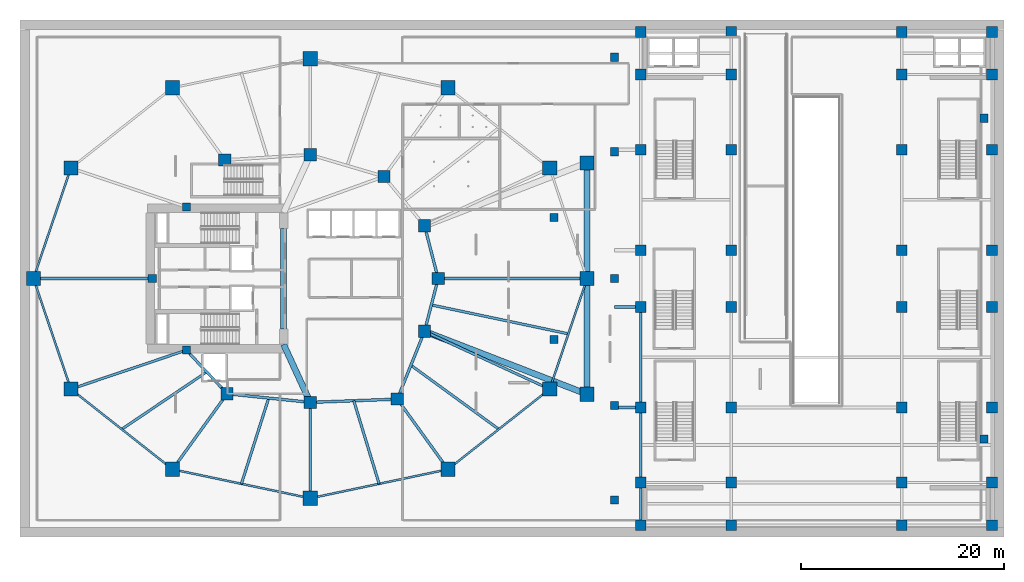
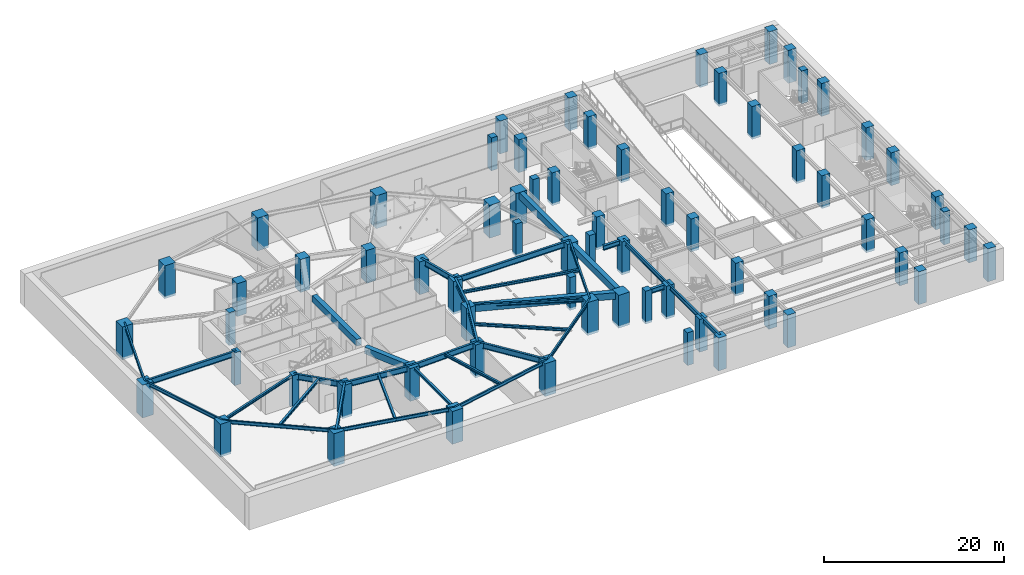
# One storey, part 1 of 16: 67 columns, 34 beams.
"""IFC4 building model written with IfcOpenShell, lengths in metres."""

from ifc_helpers import new_model, si_unit, direction, frame, origin, origin_2d, place, context, subcontext, project, spatial, rectangle, i_section, extrude, material, material_profile, profile_set, type_object, element, save


model = new_model("IFC4")

# Units and contexts
model_context = context("Model", 3, precision=1e-05, world=origin(), true_north=direction((0.0, 1.0)))
body_context = subcontext(model_context, "Body", "Model", "MODEL_VIEW")
ifc_project = project(units=[si_unit("LENGTHUNIT", "METRE"), si_unit("AREAUNIT", "SQUARE_METRE"), si_unit("VOLUMEUNIT", "CUBIC_METRE"), si_unit("PLANEANGLEUNIT", "RADIAN"), si_unit("MASSUNIT", "GRAM", prefix="KILO")], contexts=[model_context])

# Site, building, storey
site_placement = place(None, origin())
site = spatial("IfcSite", under=ifc_project, at=site_placement, CompositionType="ELEMENT")
building_placement = place(site_placement, origin())
building = spatial("IfcBuilding", under=site, at=building_placement, Name="Kolvaren Gate Tower and Convention Centre", CompositionType="ELEMENT")
storey_placement = place(building_placement, frame((0.0, 0.0, -4.5)))
storey = spatial("IfcBuildingStorey", under=building, at=storey_placement, Name="B1", CompositionType="ELEMENT", Elevation=-4.5)

# Columns
ifc_material_1 = material(Name="Concrete C60/75", Category="concrete")
ifc_material_profile_1 = material_profile(ifc_material_1, rectangle(XDim=1.050048828125, YDim=1.050048828125, at=origin_2d()), Name="RC-COL-1050X1050")
ifc_profile_set_1 = profile_set([ifc_material_profile_1], Name="Concrete C60/75")
column_type_1 = type_object("IfcColumnType", Name="STR-COL-RC1050", PredefinedType="COLUMN", material=ifc_profile_set_1)
for number, where, z_axis, x_axis, name in (
    (1, (62.699951171875, 2.699951171875, -0.320068359375), (0.0, 0.0, 1.0), (1.0, 0.0, 0.0), "Convention B1 Column CC-11"),
    (2, (62.699951171875, 6.89990234375, -0.320068359375), (0.0, 0.0, 1.0), (1.0, 0.0, 0.0), "Convention B1 Column CC-12"),
    (3, (62.699951171875, 14.300048828125, -0.320068359375), (0.0, 0.0, 1.0), (1.0, 0.0, 0.0), "Convention B1 Column CC-13"),
    (4, (62.699951171875, 24.199951171875, -0.320068359375), (0.0, 0.0, 1.0), (1.0, 0.0, 0.0), "Convention B1 Column CC-14"),
    (5, (62.699951171875, 29.800048828125, -0.320068359375), (0.0, 0.0, 1.0), (1.0, 0.0, 0.0), "Convention B1 Column CC-15"),
    (6, (62.699951171875, 39.699951171875, -0.320068359375), (0.0, 0.0, 1.0), (1.0, 0.0, 0.0), "Convention B1 Column CC-16"),
    (7, (62.699951171875, 47.10009765625, -0.320068359375), (0.0, 0.0, 1.0), (1.0, 0.0, 0.0), "Convention B1 Column CC-17"),
    (8, (62.699951171875, 51.300048828125, -0.320068359375), (0.0, 0.0, 1.0), (1.0, 0.0, 0.0), "Convention B1 Column CC-18"),
    (9, (71.60009765625, 2.699951171875, -0.320068359375), (0.0, 0.0, 1.0), (1.0, 0.0, 0.0), "Convention B1 Column CC-21"),
    (10, (71.60009765625, 6.89990234375, -0.320068359375), (0.0, 0.0, 1.0), (1.0, 0.0, 0.0), "Convention B1 Column CC-22"),
    (11, (71.60009765625, 14.300048828125, -0.320068359375), (0.0, 0.0, 1.0), (1.0, 0.0, 0.0), "Convention B1 Column CC-23"),
    (12, (71.60009765625, 24.199951171875, -0.320068359375), (0.0, 0.0, 1.0), (1.0, 0.0, 0.0), "Convention B1 Column CC-24"),
    (13, (71.60009765625, 29.800048828125, -0.320068359375), (0.0, 0.0, 1.0), (1.0, 0.0, 0.0), "Convention B1 Column CC-25"),
    (14, (71.60009765625, 39.699951171875, -0.320068359375), (0.0, 0.0, 1.0), (1.0, 0.0, 0.0), "Convention B1 Column CC-26"),
    (15, (71.60009765625, 47.10009765625, -0.320068359375), (0.0, 0.0, 1.0), (1.0, 0.0, 0.0), "Convention B1 Column CC-27"),
    (16, (71.60009765625, 51.300048828125, -0.320068359375), (0.0, 0.0, 1.0), (1.0, 0.0, 0.0), "Convention B1 Column CC-28"),
    (17, (88.39990234375, 2.699951171875, -0.320068359375), (0.0, 0.0, 1.0), (1.0, 0.0, 0.0), "Convention B1 Column CC-31"),
    (18, (88.39990234375, 6.89990234375, -0.320068359375), (0.0, 0.0, 1.0), (1.0, 0.0, 0.0), "Convention B1 Column CC-32"),
    (19, (88.39990234375, 14.300048828125, -0.320068359375), (0.0, 0.0, 1.0), (1.0, 0.0, 0.0), "Convention B1 Column CC-33"),
    (20, (88.39990234375, 24.199951171875, -0.320068359375), (0.0, 0.0, 1.0), (1.0, 0.0, 0.0), "Convention B1 Column CC-34"),
    (21, (88.39990234375, 29.800048828125, -0.320068359375), (0.0, 0.0, 1.0), (1.0, 0.0, 0.0), "Convention B1 Column CC-35"),
    (22, (88.39990234375, 39.699951171875, -0.320068359375), (0.0, 0.0, 1.0), (1.0, 0.0, 0.0), "Convention B1 Column CC-36"),
    (23, (88.39990234375, 47.10009765625, -0.320068359375), (0.0, 0.0, 1.0), (1.0, 0.0, 0.0), "Convention B1 Column CC-37"),
    (24, (88.39990234375, 51.300048828125, -0.320068359375), (0.0, 0.0, 1.0), (1.0, 0.0, 0.0), "Convention B1 Column CC-38"),
    (25, (97.300048828125, 2.699951171875, -0.320068359375), (0.0, 0.0, 1.0), (1.0, 0.0, 0.0), "Convention B1 Column CC-41"),
    (26, (97.300048828125, 6.89990234375, -0.320068359375), (0.0, 0.0, 1.0), (1.0, 0.0, 0.0), "Convention B1 Column CC-42"),
    (27, (97.300048828125, 14.300048828125, -0.320068359375), (0.0, 0.0, 1.0), (1.0, 0.0, 0.0), "Convention B1 Column CC-43"),
    (28, (97.300048828125, 24.199951171875, -0.320068359375), (0.0, 0.0, 1.0), (1.0, 0.0, 0.0), "Convention B1 Column CC-44"),
    (29, (97.300048828125, 29.800048828125, -0.320068359375), (0.0, 0.0, 1.0), (1.0, 0.0, 0.0), "Convention B1 Column CC-45"),
    (30, (97.300048828125, 39.699951171875, -0.320068359375), (0.0, 0.0, 1.0), (1.0, 0.0, 0.0), "Convention B1 Column CC-46"),
    (31, (97.300048828125, 47.10009765625, -0.320068359375), (0.0, 0.0, 1.0), (1.0, 0.0, 0.0), "Convention B1 Column CC-47"),
    (32, (97.300048828125, 51.300048828125, -0.320068359375), (0.0, 0.0, 1.0), (1.0, 0.0, 0.0), "Convention B1 Column CC-48"),
):
    element("IfcColumn", number, at=place(storey_placement, frame(where, z_axis=z_axis, x_axis=x_axis)), inside=storey, type_object=column_type_1, Name=name, PredefinedType="COLUMN", context=body_context, shape_type="SweptSolid", body=[
        extrude(rectangle(XDim=1.050048828125, YDim=1.050048828125, at=origin_2d()), origin(), (0.0, 0.0, 1.0), 4.4599609375),
    ])
ifc_material_2 = material(Name="Concrete C70/85", Category="concrete")
ifc_material_profile_2 = material_profile(ifc_material_2, rectangle(XDim=1.199951171875, YDim=1.199951171875, at=origin_2d()), Name="RC-COL-1200X1200")
ifc_profile_set_2 = profile_set([ifc_material_profile_2], Name="Concrete C70/85")
column_type_2 = type_object("IfcColumnType", Name="STR-COL-RC1200", PredefinedType="COLUMN", material=ifc_profile_set_2)
for number, where, z_axis, x_axis, name in (
    (33, (42.72509765625, 27.0, -0.320068359375), (0.0, 0.0, 1.0), (1.0, 0.0, 0.0), "Tower B1 Interior Column TI-01"),
    (34, (41.382080078125, 32.199462890625, -0.320068359375), (0.0, 0.0, 1.0), (1.0, 0.0, 0.0), "Tower B1 Interior Column TI-02"),
    (35, (37.381591796875, 37.054931640625, -0.320068359375), (0.0, 0.0, 1.0), (1.0, 0.0, 0.0), "Tower B1 Interior Column TI-03"),
    (36, (30.125, 39.199951171875, -0.320068359375), (0.0, 0.0, 1.0), (1.0, 0.0, 0.0), "Tower B1 Interior Column TI-04"),
    (37, (21.697998046875, 38.6767578125, -0.320068359375), (0.0, 0.0, 1.0), (1.0, 0.0, 0.0), "Tower B1 Interior Column TI-05"),
    (38, (21.93212890625, 15.647705078125, -0.320068359375), (0.0, 0.0, 1.0), (1.0, 0.0, 0.0), "Tower B1 Interior Column TI-06"),
    (39, (30.125, 14.800048828125, -0.320068359375), (0.0, 0.0, 1.0), (1.0, 0.0, 0.0), "Tower B1 Interior Column TI-07"),
    (40, (38.6982421875, 15.12060546875, -0.320068359375), (0.0, 0.0, 1.0), (1.0, 0.0, 0.0), "Tower B1 Interior Column TI-08"),
    (41, (41.382080078125, 21.800537109375, -0.320068359375), (0.0, 0.0, 1.0), (1.0, 0.0, 0.0), "Tower B1 Interior Column TI-09"),
):
    element("IfcColumn", number, at=place(storey_placement, frame(where, z_axis=z_axis, x_axis=x_axis)), inside=storey, type_object=column_type_2, Name=name, PredefinedType="COLUMN", context=body_context, shape_type="SweptSolid", body=[
        extrude(rectangle(XDim=1.199951171875, YDim=1.199951171875, at=origin_2d()), origin(), (0.0, 0.0, 1.0), 4.4599609375),
    ])
ifc_material_profile_3 = material_profile(ifc_material_2, rectangle(XDim=1.39990234375, YDim=1.39990234375, at=origin_2d()), Name="RC-COL-1400X1400")
ifc_profile_set_3 = profile_set([ifc_material_profile_3], Name="Concrete C70/85")
column_type_3 = type_object("IfcColumnType", Name="STR-COL-RC1400", PredefinedType="COLUMN", material=ifc_profile_set_3)
for number, where, z_axis, x_axis, name in (
    (42, (57.39990234375, 27.0, -0.320068359375), (0.0, 0.0, 1.0), (1.0, 0.0, 0.0), "Tower B1 Perimeter Supercolumn TP-01"),
    (43, (53.710205078125, 37.8935546875, -0.320068359375), (0.0, 0.0, 1.0), (1.0, 0.0, 0.0), "Tower B1 Perimeter Supercolumn TP-02"),
    (44, (43.690185546875, 45.79638671875, -0.320068359375), (0.0, 0.0, 1.0), (1.0, 0.0, 0.0), "Tower B1 Perimeter Supercolumn TP-03"),
    (45, (30.125, 48.64990234375, -0.320068359375), (0.0, 0.0, 1.0), (1.0, 0.0, 0.0), "Tower B1 Perimeter Supercolumn TP-04"),
    (46, (16.559814453125, 45.79638671875, -0.320068359375), (0.0, 0.0, 1.0), (1.0, 0.0, 0.0), "Tower B1 Perimeter Supercolumn TP-05"),
    (47, (6.539794921875, 37.8935546875, -0.320068359375), (0.0, 0.0, 1.0), (1.0, 0.0, 0.0), "Tower B1 Perimeter Supercolumn TP-06"),
    (48, (2.85009765625, 27.0, -0.320068359375), (0.0, 0.0, 1.0), (1.0, 0.0, 0.0), "Tower B1 Perimeter Supercolumn TP-07"),
    (49, (6.539794921875, 16.1064453125, -0.320068359375), (0.0, 0.0, 1.0), (1.0, 0.0, 0.0), "Tower B1 Perimeter Supercolumn TP-08"),
    (50, (16.559814453125, 8.20361328125, -0.320068359375), (0.0, 0.0, 1.0), (1.0, 0.0, 0.0), "Tower B1 Perimeter Supercolumn TP-09"),
    (51, (30.125, 5.35009765625, -0.320068359375), (0.0, 0.0, 1.0), (1.0, 0.0, 0.0), "Tower B1 Perimeter Supercolumn TP-10"),
    (52, (43.690185546875, 8.20361328125, -0.320068359375), (0.0, 0.0, 1.0), (1.0, 0.0, 0.0), "Tower B1 Perimeter Supercolumn TP-11"),
    (53, (53.710205078125, 16.1064453125, -0.320068359375), (0.0, 0.0, 1.0), (1.0, 0.0, 0.0), "Tower B1 Perimeter Supercolumn TP-12"),
    (54, (57.39990234375, 15.60009765625, -0.320068359375), (0.0, 0.0, 1.0), (1.0, 0.0, 0.0), "Monumental Arch Skewback Pier AP-1 (B1)"),
    (55, (57.39990234375, 38.39990234375, -0.320068359375), (0.0, 0.0, 1.0), (1.0, 0.0, 0.0), "Monumental Arch Skewback Pier AP-2 (B1)"),
):
    element("IfcColumn", number, at=place(storey_placement, frame(where, z_axis=z_axis, x_axis=x_axis)), inside=storey, type_object=column_type_3, Name=name, PredefinedType="COLUMN", context=body_context, shape_type="SweptSolid", body=[
        extrude(rectangle(XDim=1.39990234375, YDim=1.39990234375, at=origin_2d()), origin(), (0.0, 0.0, 1.0), 4.4599609375),
    ])
ifc_material_3 = material(Name="Concrete C50/60", Category="concrete")
ifc_material_profile_4 = material_profile(ifc_material_3, rectangle(XDim=0.800048828125, YDim=0.800048828125, at=origin_2d()), Name="RC-COL-800X800")
ifc_profile_set_4 = profile_set([ifc_material_profile_4], Name="Concrete C50/60")
column_type_4 = type_object("IfcColumnType", Name="STR-COL-RC800", PredefinedType="COLUMN", material=ifc_profile_set_4)
for number, where, z_axis, x_axis, name in (
    (56, (60.10009765625, 5.199951171875, -0.320068359375), (0.0, 0.0, 1.0), (1.0, 0.0, 0.0), "Substructure Plaza Column BP-01 (B1)"),
    (57, (60.10009765625, 14.5, -0.320068359375), (0.0, 0.0, 1.0), (1.0, 0.0, 0.0), "Substructure Plaza Column BP-02 (B1)"),
    (58, (60.10009765625, 27.0, -0.320068359375), (0.0, 0.0, 1.0), (1.0, 0.0, 0.0), "Substructure Plaza Column BP-03 (B1)"),
    (59, (60.10009765625, 39.5, -0.320068359375), (0.0, 0.0, 1.0), (1.0, 0.0, 0.0), "Substructure Plaza Column BP-04 (B1)"),
    (60, (60.10009765625, 48.800048828125, -0.320068359375), (0.0, 0.0, 1.0), (1.0, 0.0, 0.0), "Substructure Plaza Column BP-05 (B1)"),
):
    element("IfcColumn", number, at=place(storey_placement, frame(where, z_axis=z_axis, x_axis=x_axis)), inside=storey, type_object=column_type_4, Name=name, PredefinedType="COLUMN", context=body_context, shape_type="SweptSolid", body=[
        extrude(rectangle(XDim=0.800048828125, YDim=0.800048828125, at=origin_2d()), origin(), (0.0, 0.0, 1.0), 4.4599609375),
    ])
ifc_material_profile_5 = material_profile(ifc_material_1, rectangle(XDim=0.800048828125, YDim=0.800048828125, at=origin_2d()), Name="RC-COL-800X800")
ifc_profile_set_5 = profile_set([ifc_material_profile_5], Name="Concrete C60/75")
column_type_5 = type_object("IfcColumnType", Name="STR-PIL-RC800", PredefinedType="PILASTER", material=ifc_profile_set_5)
for number, where, z_axis, x_axis, name in (
    (61, (54.14990234375, 21.0, -0.320068359375), (0.0, 0.0, 1.0), (1.0, 0.0, 0.0), "Arch Portal Pilaster CP-1 (B1)"),
    (62, (54.14990234375, 33.0, -0.320068359375), (0.0, 0.0, 1.0), (1.0, 0.0, 0.0), "Arch Portal Pilaster CP-2 (B1)"),
    (63, (17.9140625, 34.050048828125, -0.320068359375), (0.0, 0.0, 1.0), (1.0, 0.0, 0.0), "Tower B1 Core Boundary Pilaster TC-05"),
    (64, (14.550048828125, 27.0, -0.320068359375), (0.0, 0.0, 1.0), (1.0, 0.0, 0.0), "Tower B1 Core Boundary Pilaster TC-06"),
    (65, (17.9140625, 19.949951171875, -0.320068359375), (0.0, 0.0, 1.0), (1.0, 0.0, 0.0), "Tower B1 Core Boundary Pilaster TC-07"),
    (66, (96.5, 11.199951171875, -0.320068359375), (0.0, 0.0, 1.0), (1.0, 0.0, 0.0), "Convention B1 Wall Pilaster CP-C1"),
    (67, (96.5, 42.800048828125, -0.320068359375), (0.0, 0.0, 1.0), (1.0, 0.0, 0.0), "Convention B1 Wall Pilaster CP-C2"),
):
    element("IfcColumn", number, at=place(storey_placement, frame(where, z_axis=z_axis, x_axis=x_axis)), inside=storey, type_object=column_type_5, Name=name, PredefinedType="PILASTER", context=body_context, shape_type="SweptSolid", body=[
        extrude(rectangle(XDim=0.800048828125, YDim=0.800048828125, at=origin_2d()), origin(), (0.0, 0.0, 1.0), 4.4599609375),
    ])

# Beams
ifc_material_4 = material(Name="Structural steel ASTM A992 Grade 345 MPa", Category="steel")
ifc_material_profile_6 = material_profile(ifc_material_4, i_section(OverallWidth=0.22998046875, OverallDepth=0.616943359375, WebThickness=0.01318359375, FlangeThickness=0.022216796875, at=origin_2d()), Name="W610X140")
ifc_profile_set_6 = profile_set([ifc_material_profile_6], Name="Structural steel ASTM A992 Grade 345 MPa")
beam_type_1 = type_object("IfcBeamType", Name="STR-BM-W610X140", PredefinedType="BEAM", material=ifc_profile_set_6)
beam_1_placement = place(storey_placement, frame((62.699951171875, 2.699951171875, 3.83154296875), z_axis=(0.0, 1.0, 0.0), x_axis=(-1.0, 0.0, 0.0)))
element("IfcBeam", 68, at=beam_1_placement, inside=storey, type_object=beam_type_1, Name="Convention B1 Longitudinal Girder CG-11", PredefinedType="BEAM", context=body_context, shape_type="SweptSolid", body=[
    extrude(i_section(OverallWidth=0.22998046875, OverallDepth=0.616943359375, WebThickness=0.01318359375, FlangeThickness=0.022216796875, at=origin_2d()), origin(), (0.0, 0.0, 1.0), 4.199951171875),
])
beam_2_placement = place(storey_placement, frame((62.699951171875, 6.89990234375, 3.83154296875), z_axis=(0.0, 1.0, 0.0), x_axis=(-1.0, 0.0, 0.0)))
element("IfcBeam", 69, at=beam_2_placement, inside=storey, type_object=beam_type_1, Name="Convention B1 Longitudinal Girder CG-12", PredefinedType="BEAM", context=body_context, shape_type="SweptSolid", body=[
    extrude(i_section(OverallWidth=0.22998046875, OverallDepth=0.616943359375, WebThickness=0.01318359375, FlangeThickness=0.022216796875, at=origin_2d()), origin(), (0.0, 0.0, 1.0), 7.400146484375),
])
beam_3_placement = place(storey_placement, frame((62.699951171875, 14.300048828125, 3.83154296875), z_axis=(0.0, 1.0, 0.0), x_axis=(-1.0, 0.0, 0.0)))
element("IfcBeam", 70, at=beam_3_placement, inside=storey, type_object=beam_type_1, Name="Convention B1 Longitudinal Girder CG-13", PredefinedType="BEAM", context=body_context, shape_type="SweptSolid", body=[
    extrude(i_section(OverallWidth=0.22998046875, OverallDepth=0.616943359375, WebThickness=0.01318359375, FlangeThickness=0.022216796875, at=origin_2d()), origin(), (0.0, 0.0, 1.0), 9.89990234375),
])
ifc_material_profile_7 = material_profile(ifc_material_4, i_section(OverallWidth=0.327880859375, OverallDepth=0.6279296875, WebThickness=0.0166015625, FlangeThickness=0.027587890625, at=origin_2d()), Name="W610X217")
ifc_profile_set_7 = profile_set([ifc_material_profile_7], Name="Structural steel ASTM A992 Grade 345 MPa")
beam_type_2 = type_object("IfcBeamType", Name="STR-BM-W610X217", PredefinedType="BEAM", material=ifc_profile_set_7)
for number, where, z_axis, x_axis, name in (
    (71, (60.10009765625, 14.300048828125, 3.825927734375), (1.0, 0.0, 0.0), (0.0, 1.0, 0.0), "Basement B1 Substructure Girder SG-14"),
    (72, (60.10009765625, 24.199951171875, 3.825927734375), (1.0, 0.0, 0.0), (0.0, 1.0, 0.0), "Basement B1 Substructure Girder SG-24"),
):
    element("IfcBeam", number, at=place(storey_placement, frame(where, z_axis=z_axis, x_axis=x_axis)), inside=storey, type_object=beam_type_2, Name=name, PredefinedType="BEAM", context=body_context, shape_type="SweptSolid", body=[
        extrude(i_section(OverallWidth=0.327880859375, OverallDepth=0.6279296875, WebThickness=0.0166015625, FlangeThickness=0.027587890625, at=origin_2d()), origin(), (0.0, 0.0, 1.0), 2.599853515625),
    ])
ifc_material_profile_8 = material_profile(ifc_material_4, i_section(OverallWidth=0.26806640625, OverallDepth=0.758056640625, WebThickness=0.016357421875, FlangeThickness=0.025390625, at=origin_2d()), Name="W760X220")
ifc_profile_set_8 = profile_set([ifc_material_profile_8], Name="Structural steel ASTM A992 Grade 345 MPa")
beam_type_3 = type_object("IfcBeamType", Name="STR-BM-W760X220", PredefinedType="BEAM", material=ifc_profile_set_8)
beam_4_placement = place(storey_placement, frame((42.72509765625, 27.0, 3.760986328125), z_axis=(-0.250091133936, -0.968222301296, 0.0), x_axis=(0.968222301296, -0.250091133936, 0.0)))
element("IfcBeam", 73, at=beam_4_placement, inside=storey, type_object=beam_type_3, Name="Tower B1 Primary Ring Girder G-01", PredefinedType="BEAM", context=body_context, shape_type="SweptSolid", body=[
    extrude(i_section(OverallWidth=0.26806640625, OverallDepth=0.758056640625, WebThickness=0.016357421875, FlangeThickness=0.025390625, at=origin_2d()), origin(), (0.0, 0.0, 1.0), 5.3701171875),
])
beam_5_placement = place(storey_placement, frame((17.9140625, 19.949951171875, 3.760986328125), z_axis=(0.682557592987, -0.730831808459, 0.0), x_axis=(0.730831808459, 0.682557592987, 0.0)))
element("IfcBeam", 74, at=beam_5_placement, inside=storey, type_object=beam_type_3, Name="Tower B1 Primary Ring Girder G-06", PredefinedType="BEAM", context=body_context, shape_type="SweptSolid", body=[
    extrude(i_section(OverallWidth=0.26806640625, OverallDepth=0.758056640625, WebThickness=0.016357421875, FlangeThickness=0.025390625, at=origin_2d()), origin(), (0.0, 0.0, 1.0), 5.88671875),
])
beam_6_placement = place(storey_placement, frame((21.93212890625, 15.647705078125, 3.760986328125), z_axis=(0.994690329115, -0.102913308978, 0.0), x_axis=(0.102913308978, 0.994690329115, 0.0)))
element("IfcBeam", 75, at=beam_6_placement, inside=storey, type_object=beam_type_3, Name="Tower B1 Primary Ring Girder G-07", PredefinedType="BEAM", context=body_context, shape_type="SweptSolid", body=[
    extrude(i_section(OverallWidth=0.26806640625, OverallDepth=0.758056640625, WebThickness=0.016357421875, FlangeThickness=0.025390625, at=origin_2d()), origin(), (0.0, 0.0, 1.0), 8.236572265625),
])
beam_7_placement = place(storey_placement, frame((30.125, 14.800048828125, 3.760986328125), z_axis=(0.999301712453, 0.037364254142, 0.0), x_axis=(-0.037364254142, 0.999301712453, 0.0)))
element("IfcBeam", 76, at=beam_7_placement, inside=storey, type_object=beam_type_3, Name="Tower B1 Primary Ring Girder G-08", PredefinedType="BEAM", context=body_context, shape_type="SweptSolid", body=[
    extrude(i_section(OverallWidth=0.26806640625, OverallDepth=0.758056640625, WebThickness=0.016357421875, FlangeThickness=0.025390625, at=origin_2d()), origin(), (0.0, 0.0, 1.0), 8.579345703125),
])
beam_8_placement = place(storey_placement, frame((38.6982421875, 15.12060546875, 3.760986328125), z_axis=(0.372811100169, 0.927907260232, 0.0), x_axis=(-0.927907260232, 0.372811100169, 0.0)))
element("IfcBeam", 77, at=beam_8_placement, inside=storey, type_object=beam_type_3, Name="Tower B1 Primary Ring Girder G-09", PredefinedType="BEAM", context=body_context, shape_type="SweptSolid", body=[
    extrude(i_section(OverallWidth=0.26806640625, OverallDepth=0.758056640625, WebThickness=0.016357421875, FlangeThickness=0.025390625, at=origin_2d()), origin(), (0.0, 0.0, 1.0), 7.198974609375),
])
beam_9_placement = place(storey_placement, frame((42.72509765625, 27.0, 3.760986328125), z_axis=(-0.250091133936, 0.968222301296, 0.0), x_axis=(-0.968222301296, -0.250091133936, 0.0)))
element("IfcBeam", 78, at=beam_9_placement, inside=storey, type_object=beam_type_3, Name="Tower B1 Primary Ring Girder G-12", PredefinedType="BEAM", context=body_context, shape_type="SweptSolid", body=[
    extrude(i_section(OverallWidth=0.26806640625, OverallDepth=0.758056640625, WebThickness=0.016357421875, FlangeThickness=0.025390625, at=origin_2d()), origin(), (0.0, 0.0, 1.0), 5.3701171875),
])
beam_10_placement = place(storey_placement, frame((42.72509765625, 27.0, 3.760986328125), z_axis=(1.0, 0.0, 0.0), x_axis=(0.0, 1.0, 0.0)))
element("IfcBeam", 79, at=beam_10_placement, inside=storey, type_object=beam_type_3, Name="Tower B1 Radial Floor Girder RB-01", PredefinedType="BEAM", context=body_context, shape_type="SweptSolid", body=[
    extrude(i_section(OverallWidth=0.26806640625, OverallDepth=0.758056640625, WebThickness=0.016357421875, FlangeThickness=0.025390625, at=origin_2d()), origin(), (0.0, 0.0, 1.0), 14.6748046875),
])
beam_11_placement = place(storey_placement, frame((14.550048828125, 27.0, 3.760986328125), z_axis=(-1.0, 0.0, 0.0), x_axis=(0.0, -1.0, 0.0)))
element("IfcBeam", 80, at=beam_11_placement, inside=storey, type_object=beam_type_3, Name="Tower B1 Radial Floor Girder RB-07", PredefinedType="BEAM", context=body_context, shape_type="SweptSolid", body=[
    extrude(i_section(OverallWidth=0.26806640625, OverallDepth=0.758056640625, WebThickness=0.016357421875, FlangeThickness=0.025390625, at=origin_2d()), origin(), (0.0, 0.0, 1.0), 11.699951171875),
])
beam_12_placement = place(storey_placement, frame((21.93212890625, 15.647705078125, 3.760986328125), z_axis=(-0.585206018873, -0.810884649919, 0.0), x_axis=(0.810884649919, -0.585206018873, 0.0)))
element("IfcBeam", 81, at=beam_12_placement, inside=storey, type_object=beam_type_3, Name="Tower B1 Radial Floor Girder RB-09", PredefinedType="BEAM", context=body_context, shape_type="SweptSolid", body=[
    extrude(i_section(OverallWidth=0.26806640625, OverallDepth=0.758056640625, WebThickness=0.016357421875, FlangeThickness=0.025390625, at=origin_2d()), origin(), (0.0, 0.0, 1.0), 9.18017578125),
])
beam_13_placement = place(storey_placement, frame((38.6982421875, 15.12060546875, 3.760986328125), z_axis=(0.585208374732, -0.810882949718, 0.0), x_axis=(0.810882949718, 0.585208374732, 0.0)))
element("IfcBeam", 82, at=beam_13_placement, inside=storey, type_object=beam_type_3, Name="Tower B1 Radial Floor Girder RB-11", PredefinedType="BEAM", context=body_context, shape_type="SweptSolid", body=[
    extrude(i_section(OverallWidth=0.26806640625, OverallDepth=0.758056640625, WebThickness=0.016357421875, FlangeThickness=0.025390625, at=origin_2d()), origin(), (0.0, 0.0, 1.0), 8.5302734375),
])
ifc_material_profile_9 = material_profile(ifc_material_4, i_section(OverallWidth=0.2548828125, OverallDepth=0.35693359375, WebThickness=0.010498046875, FlangeThickness=0.018310546875, at=origin_2d()), Name="W360X101")
ifc_profile_set_9 = profile_set([ifc_material_profile_9], Name="Structural steel ASTM A992 Grade 345 MPa")
beam_type_4 = type_object("IfcBeamType", Name="STR-JS-W360X101", PredefinedType="JOIST", material=ifc_profile_set_9)
beam_14_placement = place(storey_placement, frame((17.9140625, 19.949951171875, 3.96142578125), z_axis=(-0.947373842609, -0.320129352512, 0.0), x_axis=(0.320129352512, -0.947373842609, 0.0)))
element("IfcBeam", 83, at=beam_14_placement, inside=storey, type_object=beam_type_4, Name="Tower B1 Radial Floor Girder RB-08", PredefinedType="JOIST", context=body_context, shape_type="SweptSolid", body=[
    extrude(i_section(OverallWidth=0.2548828125, OverallDepth=0.35693359375, WebThickness=0.010498046875, FlangeThickness=0.018310546875, at=origin_2d()), origin(), (0.0, 0.0, 1.0), 12.006103515625),
])
beam_15_placement = place(storey_placement, frame((30.125, 14.800048828125, 3.96142578125), z_axis=(0.0, -1.0, 0.0), x_axis=(1.0, 0.0, 0.0)))
element("IfcBeam", 84, at=beam_15_placement, inside=storey, type_object=beam_type_4, Name="Tower B1 Radial Floor Girder RB-10", PredefinedType="JOIST", context=body_context, shape_type="SweptSolid", body=[
    extrude(i_section(OverallWidth=0.2548828125, OverallDepth=0.35693359375, WebThickness=0.010498046875, FlangeThickness=0.018310546875, at=origin_2d()), origin(), (0.0, 0.0, 1.0), 9.449951171875),
])
beam_16_placement = place(storey_placement, frame((41.382080078125, 21.800537109375, 3.96142578125), z_axis=(0.907842006347, -0.419312403241, 0.0), x_axis=(0.419312403241, 0.907842006347, 0.0)))
element("IfcBeam", 85, at=beam_16_placement, inside=storey, type_object=beam_type_4, Name="Tower B1 Radial Floor Girder RB-12", PredefinedType="JOIST", context=body_context, shape_type="SweptSolid", body=[
    extrude(i_section(OverallWidth=0.2548828125, OverallDepth=0.35693359375, WebThickness=0.010498046875, FlangeThickness=0.018310546875, at=origin_2d()), origin(), (0.0, 0.0, 1.0), 13.57958984375),
])
beam_17_placement = place(storey_placement, frame((19.923095703125, 17.798828125, 3.96142578125), z_axis=(-0.829223797874, -0.558916713866, 0.0), x_axis=(0.558916713866, -0.829223797874, 0.0)))
element("IfcBeam", 86, at=beam_17_placement, inside=storey, type_object=beam_type_4, Name="Tower B1 Secondary Composite Floor Joist J-08.1", PredefinedType="JOIST", context=body_context, shape_type="SweptSolid", body=[
    extrude(i_section(OverallWidth=0.2548828125, OverallDepth=0.35693359375, WebThickness=0.010498046875, FlangeThickness=0.018310546875, at=origin_2d()), origin(), (0.0, 0.0, 1.0), 10.09765625),
])
beam_18_placement = place(storey_placement, frame((26.028564453125, 15.223876953125, 3.96142578125), z_axis=(-0.303059270932, -0.952971709078, 0.0), x_axis=(0.952971709078, -0.303059270932, 0.0)))
element("IfcBeam", 87, at=beam_18_placement, inside=storey, type_object=beam_type_4, Name="Tower B1 Secondary Composite Floor Joist J-09.1", PredefinedType="JOIST", context=body_context, shape_type="SweptSolid", body=[
    extrude(i_section(OverallWidth=0.2548828125, OverallDepth=0.35693359375, WebThickness=0.010498046875, FlangeThickness=0.018310546875, at=origin_2d()), origin(), (0.0, 0.0, 1.0), 8.86376953125),
])
beam_19_placement = place(storey_placement, frame((34.41162109375, 14.960205078125, 3.96142578125), z_axis=(0.291750890749, -0.956494337541, 0.0), x_axis=(0.956494337541, 0.291750890749, 0.0)))
element("IfcBeam", 88, at=beam_19_placement, inside=storey, type_object=beam_type_4, Name="Tower B1 Secondary Composite Floor Joist J-10.1", PredefinedType="JOIST", context=body_context, shape_type="SweptSolid", body=[
    extrude(i_section(OverallWidth=0.2548828125, OverallDepth=0.35693359375, WebThickness=0.010498046875, FlangeThickness=0.018310546875, at=origin_2d()), origin(), (0.0, 0.0, 1.0), 8.5556640625),
])
beam_20_placement = place(storey_placement, frame((40.040283203125, 18.46044921875, 3.96142578125), z_axis=(0.808411716387, -0.588617445212, 0.0), x_axis=(0.588617445212, 0.808411716387, 0.0)))
element("IfcBeam", 89, at=beam_20_placement, inside=storey, type_object=beam_type_4, Name="Tower B1 Secondary Composite Floor Joist J-11.1", PredefinedType="JOIST", context=body_context, shape_type="SweptSolid", body=[
    extrude(i_section(OverallWidth=0.2548828125, OverallDepth=0.35693359375, WebThickness=0.010498046875, FlangeThickness=0.018310546875, at=origin_2d()), origin(), (0.0, 0.0, 1.0), 10.712158203125),
])
beam_21_placement = place(storey_placement, frame((42.0537109375, 24.400146484375, 3.96142578125), z_axis=(0.978483842038, -0.206323461756, 0.0), x_axis=(0.206323461756, 0.978483842038, 0.0)))
element("IfcBeam", 90, at=beam_21_placement, inside=storey, type_object=beam_type_4, Name="Tower B1 Secondary Composite Floor Joist J-12.1", PredefinedType="JOIST", context=body_context, shape_type="SweptSolid", body=[
    extrude(i_section(OverallWidth=0.2548828125, OverallDepth=0.35693359375, WebThickness=0.010498046875, FlangeThickness=0.018310546875, at=origin_2d()), origin(), (0.0, 0.0, 1.0), 13.79833984375),
])
ifc_material_profile_10 = material_profile(ifc_material_1, rectangle(XDim=0.60009765625, YDim=0.89990234375, at=origin_2d()), Name="RC-BM-600X900")
ifc_profile_set_10 = profile_set([ifc_material_profile_10], Name="Concrete C60/75")
beam_type_5 = type_object("IfcBeamType", Name="STR-LN-RC600X900", PredefinedType="LINTEL", material=ifc_profile_set_10)
beam_22_placement = place(storey_placement, frame((27.5, 22.050048828125, 3.68994140625), z_axis=(0.0, 1.0, 0.0), x_axis=(-1.0, 0.0, 0.0)))
element("IfcBeam", 91, at=beam_22_placement, inside=storey, type_object=beam_type_5, Name="Tower B1 Core Ductile Coupling Beam CB-01", PredefinedType="LINTEL", context=body_context, shape_type="SweptSolid", body=[
    extrude(rectangle(XDim=0.60009765625, YDim=0.89990234375, at=origin_2d()), origin(), (0.0, 0.0, 1.0), 9.89990234375),
])
ifc_material_profile_11 = material_profile(ifc_material_4, i_section(OverallWidth=0.194091796875, OverallDepth=0.468994140625, WebThickness=0.0126953125, FlangeThickness=0.0205078125, at=origin_2d()), Name="W460X106")
ifc_profile_set_11 = profile_set([ifc_material_profile_11], Name="Structural steel ASTM A992 Grade 345 MPa")
beam_type_6 = type_object("IfcBeamType", Name="STR-SP-W460X106", PredefinedType="SPANDREL", material=ifc_profile_set_11)
for number, where, z_axis, x_axis, name in (
    (92, (6.539794921875, 37.8935546875, 3.905517578125), (-0.320802733798, -0.947146032029, 0.0), (0.947146032029, -0.320802733798, 0.0), "Tower B1 Perimeter Spandrel Beam SP-06"),
    (93, (2.85009765625, 27.0, 3.905517578125), (0.320802733798, -0.947146032029, 0.0), (0.947146032029, 0.320802733798, 0.0), "Tower B1 Perimeter Spandrel Beam SP-07"),
):
    element("IfcBeam", number, at=place(storey_placement, frame(where, z_axis=z_axis, x_axis=x_axis)), inside=storey, type_object=beam_type_6, Name=name, PredefinedType="SPANDREL", context=body_context, shape_type="SweptSolid", body=[
        extrude(i_section(OverallWidth=0.194091796875, OverallDepth=0.468994140625, WebThickness=0.0126953125, FlangeThickness=0.0205078125, at=origin_2d()), origin(), (0.0, 0.0, 1.0), 11.50146484375),
    ])
beam_23_placement = place(storey_placement, frame((6.539794921875, 16.1064453125, 3.905517578125), z_axis=(0.785176498861, -0.619272044933, 0.0), x_axis=(0.619272044933, 0.785176498861, 0.0)))
element("IfcBeam", 94, at=beam_23_placement, inside=storey, type_object=beam_type_6, Name="Tower B1 Perimeter Spandrel Beam SP-08", PredefinedType="SPANDREL", context=body_context, shape_type="SweptSolid", body=[
    extrude(i_section(OverallWidth=0.194091796875, OverallDepth=0.468994140625, WebThickness=0.0126953125, FlangeThickness=0.0205078125, at=origin_2d()), origin(), (0.0, 0.0, 1.0), 12.761474609375),
])
for number, where, z_axis, x_axis, name in (
    (95, (16.559814453125, 8.20361328125, 3.905517578125), (0.978583407863, -0.205850707685, 0.0), (0.205850707685, 0.978583407863, 0.0), "Tower B1 Perimeter Spandrel Beam SP-09"),
    (96, (30.125, 5.35009765625, 3.905517578125), (0.978583407863, 0.205850707685, 0.0), (-0.205850707685, 0.978583407863, 0.0), "Tower B1 Perimeter Spandrel Beam SP-10"),
):
    element("IfcBeam", number, at=place(storey_placement, frame(where, z_axis=z_axis, x_axis=x_axis)), inside=storey, type_object=beam_type_6, Name=name, PredefinedType="SPANDREL", context=body_context, shape_type="SweptSolid", body=[
        extrude(i_section(OverallWidth=0.194091796875, OverallDepth=0.468994140625, WebThickness=0.0126953125, FlangeThickness=0.0205078125, at=origin_2d()), origin(), (0.0, 0.0, 1.0), 13.862060546875),
    ])
beam_24_placement = place(storey_placement, frame((43.690185546875, 8.20361328125, 3.905517578125), z_axis=(0.785176498861, 0.619272044933, 0.0), x_axis=(-0.619272044933, 0.785176498861, 0.0)))
element("IfcBeam", 97, at=beam_24_placement, inside=storey, type_object=beam_type_6, Name="Tower B1 Perimeter Spandrel Beam SP-11", PredefinedType="SPANDREL", context=body_context, shape_type="SweptSolid", body=[
    extrude(i_section(OverallWidth=0.194091796875, OverallDepth=0.468994140625, WebThickness=0.0126953125, FlangeThickness=0.0205078125, at=origin_2d()), origin(), (0.0, 0.0, 1.0), 12.761474609375),
])
beam_25_placement = place(storey_placement, frame((53.710205078125, 16.1064453125, 3.905517578125), z_axis=(0.320802733798, 0.947146032029, 0.0), x_axis=(-0.947146032029, 0.320802733798, 0.0)))
element("IfcBeam", 98, at=beam_25_placement, inside=storey, type_object=beam_type_6, Name="Tower B1 Perimeter Spandrel Beam SP-12", PredefinedType="SPANDREL", context=body_context, shape_type="SweptSolid", body=[
    extrude(i_section(OverallWidth=0.194091796875, OverallDepth=0.468994140625, WebThickness=0.0126953125, FlangeThickness=0.0205078125, at=origin_2d()), origin(), (0.0, 0.0, 1.0), 11.50146484375),
])
ifc_material_profile_12 = material_profile(ifc_material_1, rectangle(XDim=0.60009765625, YDim=0.89990234375, at=origin_2d()), Name="RC-BM-600X900")
ifc_profile_set_12 = profile_set([ifc_material_profile_12], Name="Concrete C60/75")
beam_type_7 = type_object("IfcBeamType", Name="STR-TB-RC600X900", PredefinedType="USERDEFINED", material=ifc_profile_set_12)
beam_26_placement = place(storey_placement, frame((57.39990234375, 15.60009765625, 3.68994140625), z_axis=(0.0, 1.0, 0.0), x_axis=(-1.0, 0.0, 0.0)))
element("IfcBeam", 99, at=beam_26_placement, inside=storey, type_object=beam_type_7, Name="Portal Arch Post-Tensioned Tie Beam ATB-01", ObjectType="TIE BEAM", PredefinedType="USERDEFINED", context=body_context, shape_type="SweptSolid", body=[
    extrude(rectangle(XDim=0.60009765625, YDim=0.89990234375, at=origin_2d()), origin(), (0.0, 0.0, 1.0), 22.7998046875),
])
beam_27_placement = place(storey_placement, frame((57.39990234375, 15.60009765625, 3.68994140625), z_axis=(-0.932568252635, 0.360993703793, 0.0), x_axis=(-0.360993703793, -0.932568252635, 0.0)))
element("IfcBeam", 100, at=beam_27_placement, inside=storey, type_object=beam_type_7, Name="Diaphragm Collector Tie Beam ATB-02", ObjectType="TIE BEAM", PredefinedType="USERDEFINED", context=body_context, shape_type="SweptSolid", body=[
    extrude(rectangle(XDim=0.60009765625, YDim=0.89990234375, at=origin_2d()), origin(), (0.0, 0.0, 1.0), 17.176025390625),
])
beam_28_placement = place(storey_placement, frame((27.5, 20.5, 3.68994140625), z_axis=(0.418303092084, -0.908307504732, 0.0), x_axis=(0.908307504732, 0.418303092084, 0.0)))
element("IfcBeam", 101, at=beam_28_placement, inside=storey, type_object=beam_type_7, Name="Diaphragm Collector Tie Beam ATB-06", ObjectType="TIE BEAM", PredefinedType="USERDEFINED", context=body_context, shape_type="SweptSolid", body=[
    extrude(rectangle(XDim=0.60009765625, YDim=0.89990234375, at=origin_2d()), origin(), (0.0, 0.0, 1.0), 6.275390625),
])

save(model, "model.ifc")
